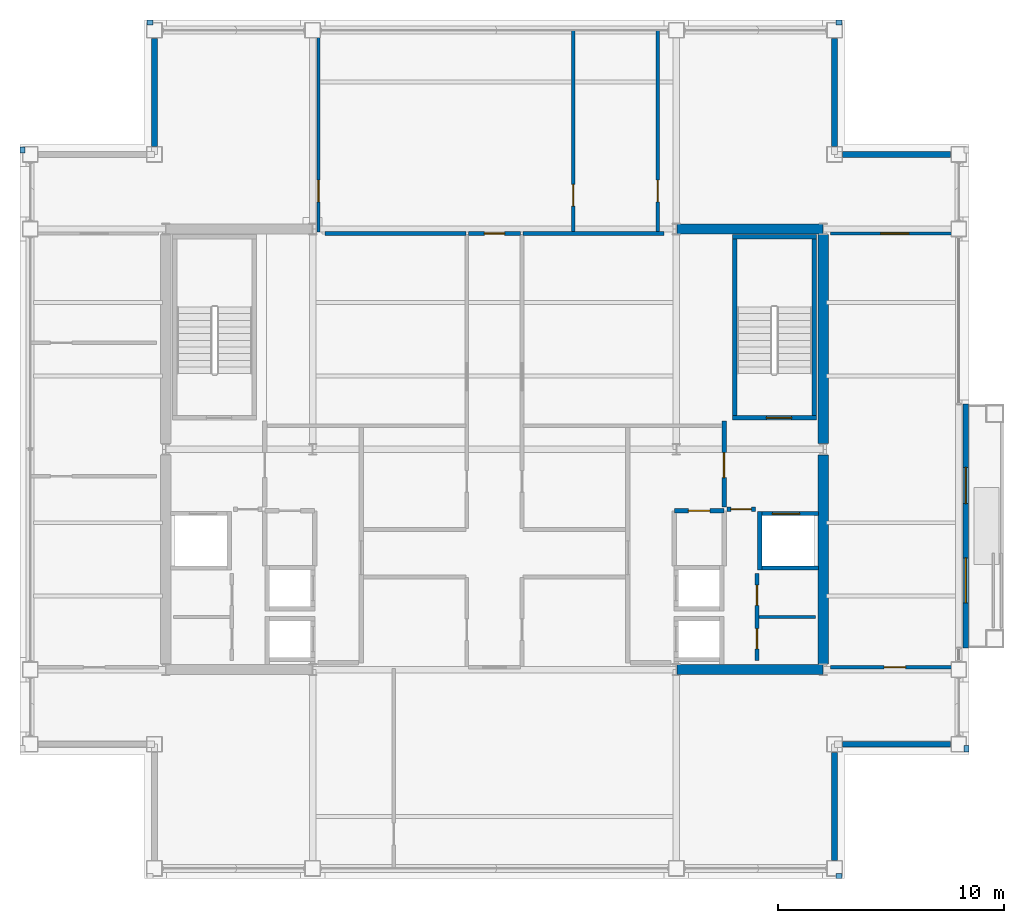
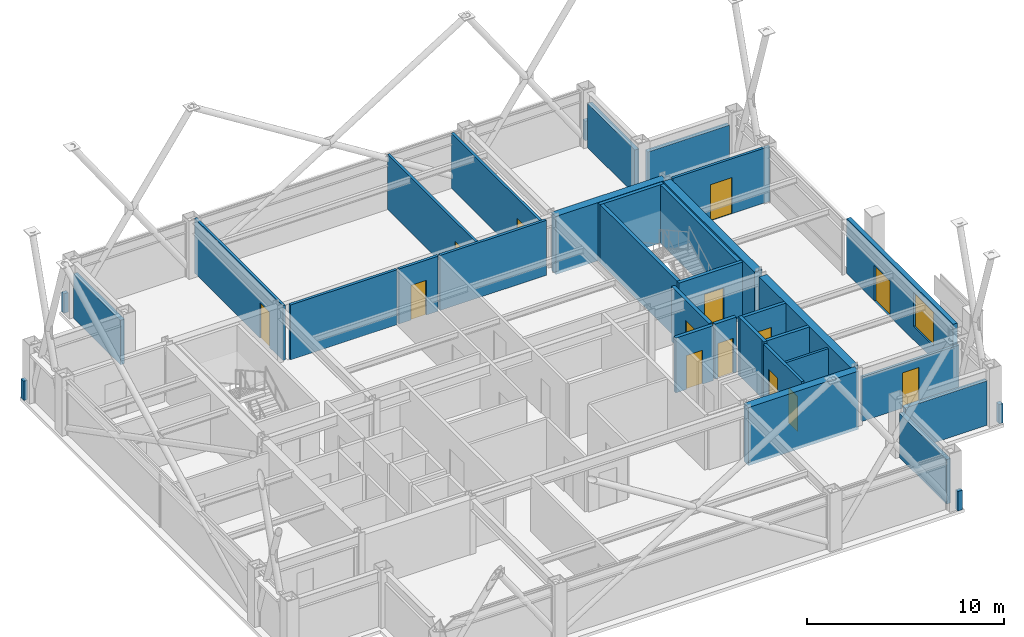
# One storey, part 30 of 33: 35 walls, 14 doors, 1 window, 15 openings.
"""IFC4 building model written with IfcOpenShell, lengths in metres."""

from ifc_helpers import new_model, si_unit, direction, frame, frame_2d, origin, place, context, subcontext, project, spatial, rectangle, extrude, material, layer, layer_set, type_object, element, fill, save


model = new_model("IFC4")

# Units and contexts
model_context = context("Model", 3, precision=1e-05, world=origin(), true_north=direction((0.0, 1.0)))
body_context = subcontext(model_context, "Body", "Model", "MODEL_VIEW")
ifc_project = project(units=[si_unit("LENGTHUNIT", "METRE"), si_unit("AREAUNIT", "SQUARE_METRE"), si_unit("VOLUMEUNIT", "CUBIC_METRE"), si_unit("PLANEANGLEUNIT", "RADIAN"), si_unit("MASSUNIT", "GRAM", prefix="KILO")], contexts=[model_context])

# Site, building, storey
site_placement = place(None, origin())
site = spatial("IfcSite", under=ifc_project, at=site_placement, CompositionType="ELEMENT")
building_placement = place(site_placement, origin())
building = spatial("IfcBuilding", under=site, at=building_placement, Name="Brelmoor Portico Tower", CompositionType="ELEMENT")
storey_placement = place(building_placement, frame((0.0, 0.0, 194.699951171875)))
storey = spatial("IfcBuildingStorey", under=building, at=storey_placement, Name="L51", CompositionType="ELEMENT", Elevation=194.699951171875)

# Walls
ifc_material_1 = material(Name="Concrete C50", Category="concrete")
ifc_layer_1 = layer(ifc_material_1, 0.449951171875)
ifc_layer_set_1 = layer_set([ifc_layer_1], Name="Concrete C50")
wall_type_1 = type_object("IfcWallType", Name="WL-CORE-450", PredefinedType="SHEAR", material=ifc_layer_set_1)
for number, where, z_axis, x_axis, name in (
    (1, (8.070068359375, -9.75, -0.199951171875), (0.0, 0.0, 1.0), (1.0, 0.0, 0.0), "L51 EC South Shear Wall"),
    (2, (8.070068359375, 9.75, -0.199951171875), (0.0, 0.0, 1.0), (1.0, 0.0, 0.0), "L51 EC North Shear Wall"),
):
    element("IfcWall", number, at=place(storey_placement, frame(where, z_axis=z_axis, x_axis=x_axis)), inside=storey, type_object=wall_type_1, Name=name, PredefinedType="SHEAR", context=body_context, shape_type="SweptSolid", body=[
        extrude(rectangle(XDim=6.4599609375, YDim=0.449951171875, at=frame_2d((3.22998046875, 0.0))), origin(), (0.0, 0.0, 1.0), 3.60009765625),
    ])
for number, where, z_axis, x_axis, name in (
    (3, (14.550048828125, -9.5, -0.199951171875), (0.0, 0.0, 1.0), (0.0, 1.0, 0.0), "L51 EC Outer South Shear Wall"),
    (4, (14.550048828125, 0.25, -0.199951171875), (0.0, 0.0, 1.0), (0.0, 1.0, 0.0), "L51 EC Outer North Shear Wall"),
):
    element("IfcWall", number, at=place(storey_placement, frame(where, z_axis=z_axis, x_axis=x_axis)), inside=storey, type_object=wall_type_1, Name=name, PredefinedType="SHEAR", context=body_context, shape_type="SweptSolid", body=[
        extrude(rectangle(XDim=9.25, YDim=0.449951171875, at=frame_2d((4.625, 0.0))), origin(), (0.0, 0.0, 1.0), 3.60009765625),
    ])

# Wall, openings, door, window
ifc_material_2 = material(Name="Precast Concrete C40 Insulated Facade Wall", Category="concrete")
ifc_layer_2 = layer(ifc_material_2, 0.25)
ifc_layer_set_2 = layer_set([ifc_layer_2], Name="Precast Concrete C40 Insulated Facade Wall")
wall_type_2 = type_object("IfcWallType", Name="WL-EXT-250", PredefinedType="STANDARD", material=ifc_layer_set_2)
wall_1_placement = place(storey_placement, frame((20.860107421875, -8.800048828125, 0.0), z_axis=(0.0, 0.0, 1.0), x_axis=(0.0, 1.0, 0.0)))
wall_1 = element("IfcWall", 5, at=wall_1_placement, inside=storey, type_object=wall_type_2, Name="L51 Loggia Threshold Wall E-1", PredefinedType="STANDARD", context=body_context, shape_type="SweptSolid", body=[
    extrude(rectangle(XDim=10.800048828125, YDim=0.25, at=frame_2d((5.39990234375, 0.0))), origin(), (0.0, 0.0, 1.0), 3.400146484375),
])
opening_1_placement = place(wall_1_placement, frame((6.39990234375, 0.0, 0.0)))
opening_1 = element("IfcOpeningElement", 6, at=opening_1_placement, cuts=wall_1, Name="Opening D-TB1", PredefinedType="OPENING", context=body_context, shape_type="SweptSolid", body=[
    extrude(rectangle(XDim=1.60009765625, YDim=2.199951171875, at=frame_2d((0.800048828125, 1.10009765625))), frame((0.0, 0.135009765625, 0.0), z_axis=(0.0, -1.0, 0.0), x_axis=(1.0, 0.0, 0.0)), (0.0, 0.0, 1.0), 0.27001953125),
])
opening_2_placement = place(wall_1_placement, frame((2.0, 0.0, 0.85009765625)))
opening_2 = element("IfcOpeningElement", 7, at=opening_2_placement, cuts=wall_1, Name="Opening W-03", PredefinedType="OPENING", context=body_context, shape_type="SweptSolid", body=[
    extrude(rectangle(XDim=2.0, YDim=2.10009765625, at=frame_2d((1.0, 1.050048828125))), frame((0.0, 0.135009765625, 0.0), z_axis=(0.0, -1.0, 0.0), x_axis=(1.0, 0.0, 0.0)), (0.0, 0.0, 1.0), 0.27001953125),
])
ifc_material_3 = material(Name="Double-Leaf Thermally Broken Terrace Door", Category="aluminium")
door_type_1 = type_object("IfcDoorType", Name="DR-BALCONY-1600", OperationType="NOTDEFINED", PredefinedType="DOOR", material=ifc_material_3)
door_1_placement = place(opening_1_placement, origin())
door_1 = element("IfcDoor", 8, at=door_1_placement, inside=storey, type_object=door_type_1, Name="D-2171 L51 Tree Balcony Double Door E", OperationType="DOUBLE_DOOR_SINGLE_SWING", OverallHeight=2.199951171875, OverallWidth=1.60009765625, PredefinedType="DOOR", context=body_context, shape_type="SweptSolid", body=[
    extrude(rectangle(XDim=1.60009765625, YDim=2.199951171875, at=frame_2d((0.800048828125, 1.10009765625))), frame((0.0, 0.02490234375, 0.0), z_axis=(0.0, -1.0, 0.0), x_axis=(1.0, 0.0, 0.0)), (0.0, 0.0, 1.0), 0.050048828125),
])
fill(opening_1, door_1)
ifc_material_4 = material(Name="Thermally Broken Aluminium Low-E Window", Category="aluminium")
window_type = type_object("IfcWindowType", Name="WN-LOGGIA-2000x2100", PartitioningType="SINGLE_PANEL", PredefinedType="WINDOW", material=ifc_material_4)
window_placement = place(opening_2_placement, origin())
window = element("IfcWindow", 9, at=window_placement, inside=storey, type_object=window_type, Name="L51 Loggia Window E", OverallHeight=2.10009765625, OverallWidth=2.0, PartitioningType="SINGLE_PANEL", PredefinedType="WINDOW", context=body_context, shape_type="SweptSolid", body=[
    extrude(rectangle(XDim=2.0, YDim=2.10009765625, at=frame_2d((1.0, 1.050048828125))), frame((0.0, 0.030029296875, 0.0), z_axis=(0.0, -1.0, 0.0), x_axis=(1.0, 0.0, 0.0)), (0.0, 0.0, 1.0), 0.06005859375),
])
fill(opening_2, window)

# Walls
for number, where, z_axis, x_axis, name in (
    (10, (15.409912109375, -13.050048828125, 0.0), (0.0, 0.0, 1.0), (1.0, 0.0, 0.0), "L51 Corner Notch Facade Wall NSEH1"),
    (11, (15.050048828125, -18.18994140625, 0.0), (0.0, 0.0, 1.0), (0.0, 1.0, 0.0), "L51 Corner Notch Facade Wall NSEV1"),
    (12, (-15.050048828125, 13.409912109375, 0.0), (0.0, 0.0, 1.0), (0.0, 1.0, 0.0), "L51 Corner Notch Facade Wall NNWV1"),
    (13, (15.409912109375, 13.050048828125, 0.0), (0.0, 0.0, 1.0), (1.0, 0.0, 0.0), "L51 Corner Notch Facade Wall NNEH1"),
    (14, (15.050048828125, 13.409912109375, 0.0), (0.0, 0.0, 1.0), (0.0, 1.0, 0.0), "L51 Corner Notch Facade Wall NNEV1"),
):
    element("IfcWall", number, at=place(storey_placement, frame(where, z_axis=z_axis, x_axis=x_axis)), inside=storey, type_object=wall_type_2, Name=name, PredefinedType="STANDARD", context=body_context, shape_type="SweptSolid", body=[
        extrude(rectangle(XDim=4.780029296875, YDim=0.25, at=frame_2d((2.39013671875, 0.0))), origin(), (0.0, 0.0, 1.0), 2.75),
    ])
ifc_material_5 = material(Name="Concrete C40 Parapet Upstand", Category="concrete")
ifc_layer_3 = layer(ifc_material_5, 0.219970703125)
ifc_layer_set_3 = layer_set([ifc_layer_3], Name="Concrete C40 Parapet Upstand")
wall_type_3 = type_object("IfcWallType", Name="WL-PARAPET-220", PredefinedType="PARAPET", material=ifc_layer_set_3)
for number, where, z_axis, x_axis, name in (
    (15, (15.1201171875, -18.889892578125, 0.0), (0.0, 0.0, 1.0), (1.0, 0.0, 0.0), "L51 Chamfer Vertex Parapet Pier SE1"),
    (16, (20.889892578125, -13.389892578125, 0.0), (0.0, 0.0, 1.0), (0.0, 1.0, 0.0), "L51 Chamfer Vertex Parapet Pier SE2"),
    (17, (-15.389892578125, 18.889892578125, 0.0), (0.0, 0.0, 1.0), (1.0, 0.0, 0.0), "L51 Chamfer Vertex Parapet Pier NW1"),
    (18, (-20.889892578125, 13.1201171875, 0.0), (0.0, 0.0, 1.0), (0.0, 1.0, 0.0), "L51 Chamfer Vertex Parapet Pier NW2"),
    (19, (15.1201171875, 18.889892578125, 0.0), (0.0, 0.0, 1.0), (1.0, 0.0, 0.0), "L51 Chamfer Vertex Parapet Pier NE1"),
):
    element("IfcWall", number, at=place(storey_placement, frame(where, z_axis=z_axis, x_axis=x_axis)), inside=storey, type_object=wall_type_3, Name=name, PredefinedType="PARAPET", context=body_context, shape_type="SweptSolid", body=[
        extrude(rectangle(XDim=0.269775390625, YDim=0.219970703125, at=frame_2d((0.134765625, 0.0))), origin(), (0.0, 0.0, 1.0), 1.199951171875),
    ])
ifc_material_6 = material(Name="Insulated Stud Suite Partition", Category="gypsum")
ifc_layer_4 = layer(ifc_material_6, 0.139892578125)
ifc_layer_set_4 = layer_set([ifc_layer_4], Name="Insulated Stud Suite Partition")
wall_type_4 = type_object("IfcWallType", Name="WL-PART-140", PredefinedType="PARTITIONING", material=ifc_layer_set_4)
wall_2_placement = place(storey_placement, frame((11.699951171875, -7.425048828125, 0.0), z_axis=(0.0, 0.0, 1.0), x_axis=(1.0, 0.0, 0.0)))
element("IfcWall", 20, at=wall_2_placement, inside=storey, type_object=wall_type_4, Name="L51 E Core WC Divider 1", PredefinedType="PARTITIONING", context=body_context, shape_type="SweptSolid", body=[
    extrude(rectangle(XDim=2.5, YDim=0.139892578125, at=frame_2d((1.25, 0.0))), origin(), (0.0, 0.0, 1.0), 3.400146484375),
])

# Wall, opening, door
ifc_material_7 = material(Name="Wet-Area Moisture-Resistant Partition", Category="gypsum")
ifc_layer_5 = layer(ifc_material_7, 0.14990234375)
ifc_layer_set_5 = layer_set([ifc_layer_5], Name="Wet-Area Moisture-Resistant Partition")
wall_type_5 = type_object("IfcWallType", Name="WL-PART-150", PredefinedType="PARTITIONING", material=ifc_layer_set_5)
wall_3_placement = place(storey_placement, frame((-7.78955078125, 9.610107421875, 0.0), z_axis=(0.0, 0.0, 1.0), x_axis=(0.0, 1.0, 0.0)))
wall_3 = element("IfcWall", 21, at=wall_3_placement, inside=storey, type_object=wall_type_5, Name="L51 North Suite Partition 1", PredefinedType="PARTITIONING", context=body_context, shape_type="SweptSolid", body=[
    extrude(rectangle(XDim=8.949951171875, YDim=0.14990234375, at=frame_2d((4.47509765625, 0.0))), origin(), (0.0, 0.0, 1.0), 3.400146484375),
])
opening_3_placement = place(wall_3_placement, frame((1.340087890625, 0.0, 0.0)))
opening_3 = element("IfcOpeningElement", 22, at=opening_3_placement, cuts=wall_3, Name="Opening D-IN2", PredefinedType="OPENING", context=body_context, shape_type="SweptSolid", body=[
    extrude(rectangle(XDim=0.9599609375, YDim=2.179931640625, at=frame_2d((0.47998046875, 1.08984375))), frame((0.0, 0.0849609375, 0.0), z_axis=(0.0, -1.0, 0.0), x_axis=(1.0, 0.0, 0.0)), (0.0, 0.0, 1.0), 0.169921875),
])
ifc_material_8 = material(Name="Lacquered Timber Suite Door", Category="wood")
door_type_2 = type_object("IfcDoorType", Name="DR-INT-950", OperationType="NOTDEFINED", PredefinedType="DOOR", material=ifc_material_8)
door_2_placement = place(opening_3_placement, origin())
door_2 = element("IfcDoor", 23, at=door_2_placement, inside=storey, type_object=door_type_2, Name="D-2160 L51 North Suite Connecting Door 1", OperationType="SINGLE_SWING_LEFT", OverallHeight=2.179931640625, OverallWidth=0.9599609375, PredefinedType="DOOR", context=body_context, shape_type="SweptSolid", body=[
    extrude(rectangle(XDim=0.9599609375, YDim=2.179931640625, at=frame_2d((0.47998046875, 1.08984375))), frame((0.0, 0.02490234375, 0.0), z_axis=(0.0, -1.0, 0.0), x_axis=(1.0, 0.0, 0.0)), (0.0, 0.0, 1.0), 0.050048828125),
])
fill(opening_3, door_2)

wall_4_placement = place(storey_placement, frame((3.490966796875, 9.610107421875, 0.0), z_axis=(0.0, 0.0, 1.0), x_axis=(0.0, 1.0, 0.0)))
wall_4 = element("IfcWall", 24, at=wall_4_placement, inside=storey, type_object=wall_type_5, Name="L51 North Suite Partition 2", PredefinedType="PARTITIONING", context=body_context, shape_type="SweptSolid", body=[
    extrude(rectangle(XDim=8.949951171875, YDim=0.14990234375, at=frame_2d((4.47509765625, 0.0))), origin(), (0.0, 0.0, 1.0), 3.400146484375),
])
opening_4_placement = place(wall_4_placement, frame((1.14990234375, 0.0, 0.0)))
opening_4 = element("IfcOpeningElement", 25, at=opening_4_placement, cuts=wall_4, Name="Opening D-IN2", PredefinedType="OPENING", context=body_context, shape_type="SweptSolid", body=[
    extrude(rectangle(XDim=0.9599609375, YDim=2.179931640625, at=frame_2d((0.47998046875, 1.08984375))), frame((0.0, 0.0849609375, 0.0), z_axis=(0.0, -1.0, 0.0), x_axis=(1.0, 0.0, 0.0)), (0.0, 0.0, 1.0), 0.169921875),
])
door_3_placement = place(opening_4_placement, origin())
door_3 = element("IfcDoor", 26, at=door_3_placement, inside=storey, type_object=door_type_2, Name="D-2161 L51 North Suite Connecting Door 2", OperationType="SINGLE_SWING_RIGHT", OverallHeight=2.179931640625, OverallWidth=0.9599609375, PredefinedType="DOOR", context=body_context, shape_type="SweptSolid", body=[
    extrude(rectangle(XDim=0.9599609375, YDim=2.179931640625, at=frame_2d((0.47998046875, 1.08984375))), frame((0.0, 0.02490234375, 0.0), z_axis=(0.0, -1.0, 0.0), x_axis=(1.0, 0.0, 0.0)), (0.0, 0.0, 1.0), 0.050048828125),
])
fill(opening_4, door_3)

wall_5_placement = place(storey_placement, frame((7.233154296875, 9.610107421875, 0.0), z_axis=(0.0, 0.0, 1.0), x_axis=(0.0, 1.0, 0.0)))
wall_5 = element("IfcWall", 27, at=wall_5_placement, inside=storey, type_object=wall_type_5, Name="L51 North Suite Partition 3", PredefinedType="PARTITIONING", context=body_context, shape_type="SweptSolid", body=[
    extrude(rectangle(XDim=8.949951171875, YDim=0.14990234375, at=frame_2d((4.47509765625, 0.0))), origin(), (0.0, 0.0, 1.0), 3.400146484375),
])
opening_5_placement = place(wall_5_placement, frame((1.340087890625, 0.0, 0.0)))
opening_5 = element("IfcOpeningElement", 28, at=opening_5_placement, cuts=wall_5, Name="Opening D-IN2", PredefinedType="OPENING", context=body_context, shape_type="SweptSolid", body=[
    extrude(rectangle(XDim=0.9599609375, YDim=2.179931640625, at=frame_2d((0.47998046875, 1.08984375))), frame((0.0, 0.0849609375, 0.0), z_axis=(0.0, -1.0, 0.0), x_axis=(1.0, 0.0, 0.0)), (0.0, 0.0, 1.0), 0.169921875),
])
door_4_placement = place(opening_5_placement, origin())
door_4 = element("IfcDoor", 29, at=door_4_placement, inside=storey, type_object=door_type_2, Name="D-2162 L51 North Suite Connecting Door 3", OperationType="SINGLE_SWING_LEFT", OverallHeight=2.179931640625, OverallWidth=0.9599609375, PredefinedType="DOOR", context=body_context, shape_type="SweptSolid", body=[
    extrude(rectangle(XDim=0.9599609375, YDim=2.179931640625, at=frame_2d((0.47998046875, 1.08984375))), frame((0.0, 0.02490234375, 0.0), z_axis=(0.0, -1.0, 0.0), x_axis=(1.0, 0.0, 0.0)), (0.0, 0.0, 1.0), 0.050048828125),
])
fill(opening_5, door_4)

wall_6_placement = place(storey_placement, frame((14.8798828125, 9.550048828125, 0.0), z_axis=(0.0, 0.0, 1.0), x_axis=(1.0, 0.0, 0.0)))
wall_6 = element("IfcWall", 30, at=wall_6_placement, inside=storey, type_object=wall_type_5, Name="L51 North Wing Suite Wall ER", PredefinedType="PARTITIONING", context=body_context, shape_type="SweptSolid", body=[
    extrude(rectangle(XDim=5.68017578125, YDim=0.14990234375, at=frame_2d((2.840087890625, 0.0))), origin(), (0.0, 0.0, 1.0), 3.400146484375),
])
opening_6_placement = place(wall_6_placement, frame((2.219970703125, 0.0, 0.0)))
opening_6 = element("IfcOpeningElement", 31, at=opening_6_placement, cuts=wall_6, Name="Opening D-SU1", PredefinedType="OPENING", context=body_context, shape_type="SweptSolid", body=[
    extrude(rectangle(XDim=1.239990234375, YDim=2.239990234375, at=frame_2d((0.6201171875, 1.1201171875))), frame((0.0, 0.0849609375, 0.0), z_axis=(0.0, -1.0, 0.0), x_axis=(1.0, 0.0, 0.0)), (0.0, 0.0, 1.0), 0.169921875),
])
ifc_material_9 = material(Name="Glazed Timber Executive Suite Door", Category="wood")
door_type_3 = type_object("IfcDoorType", Name="DR-SUITE-1200", OperationType="NOTDEFINED", PredefinedType="DOOR", material=ifc_material_9)
door_5_placement = place(opening_6_placement, origin())
door_5 = element("IfcDoor", 32, at=door_5_placement, inside=storey, type_object=door_type_3, Name="D-2163 L51 ER Wing Suite Connecting Door", OperationType="SINGLE_SWING_RIGHT", OverallHeight=2.239990234375, OverallWidth=1.239990234375, PredefinedType="DOOR", context=body_context, shape_type="SweptSolid", body=[
    extrude(rectangle(XDim=1.239990234375, YDim=2.239990234375, at=frame_2d((0.6201171875, 1.1201171875))), frame((0.0, 0.02490234375, 0.0), z_axis=(0.0, -1.0, 0.0), x_axis=(1.0, 0.0, 0.0)), (0.0, 0.0, 1.0), 0.050048828125),
])
fill(opening_6, door_5)

wall_7_placement = place(storey_placement, frame((14.8798828125, -9.64990234375, 0.0), z_axis=(0.0, 0.0, 1.0), x_axis=(1.0, 0.0, 0.0)))
wall_7 = element("IfcWall", 33, at=wall_7_placement, inside=storey, type_object=wall_type_5, Name="L51 South Wing Closure ER", PredefinedType="PARTITIONING", context=body_context, shape_type="SweptSolid", body=[
    extrude(rectangle(XDim=5.68017578125, YDim=0.14990234375, at=frame_2d((2.840087890625, 0.0))), origin(), (0.0, 0.0, 1.0), 2.75),
])
opening_7_placement = place(wall_7_placement, frame((2.360107421875, 0.0, 0.0)))
opening_7 = element("IfcOpeningElement", 34, at=opening_7_placement, cuts=wall_7, Name="Opening D-IN2", PredefinedType="OPENING", context=body_context, shape_type="SweptSolid", body=[
    extrude(rectangle(XDim=0.9599609375, YDim=2.179931640625, at=frame_2d((0.47998046875, 1.08984375))), frame((0.0, 0.0849609375, 0.0), z_axis=(0.0, -1.0, 0.0), x_axis=(1.0, 0.0, 0.0)), (0.0, 0.0, 1.0), 0.169921875),
])
door_6_placement = place(opening_7_placement, origin())
door_6 = element("IfcDoor", 35, at=door_6_placement, inside=storey, type_object=door_type_2, Name="D-2169 L51 ER Wing South Suite Door", OperationType="SINGLE_SWING_RIGHT", OverallHeight=2.179931640625, OverallWidth=0.9599609375, PredefinedType="DOOR", context=body_context, shape_type="SweptSolid", body=[
    extrude(rectangle(XDim=0.9599609375, YDim=2.179931640625, at=frame_2d((0.47998046875, 1.08984375))), frame((0.0, 0.02490234375, 0.0), z_axis=(0.0, -1.0, 0.0), x_axis=(1.0, 0.0, 0.0)), (0.0, 0.0, 1.0), 0.050048828125),
])
fill(opening_7, door_6)

# Wall, openings, doors
ifc_material_10 = material(Name="Twin-Frame Acoustic Partition", Category="gypsum")
ifc_layer_6 = layer(ifc_material_10, 0.159912109375)
ifc_layer_set_6 = layer_set([ifc_layer_6], Name="Twin-Frame Acoustic Partition")
wall_type_6 = type_object("IfcWallType", Name="WL-PART-160", PredefinedType="PARTITIONING", material=ifc_layer_set_6)
wall_8_placement = place(storey_placement, frame((11.6201171875, -9.35009765625, 0.0), z_axis=(0.0, 0.0, 1.0), x_axis=(0.0, 1.0, 0.0)))
wall_8 = element("IfcWall", 36, at=wall_8_placement, inside=storey, type_object=wall_type_6, Name="L51 E Core Service Front Wall", PredefinedType="PARTITIONING", context=body_context, shape_type="SweptSolid", body=[
    extrude(rectangle(XDim=3.85009765625, YDim=0.159912109375, at=frame_2d((1.925048828125, 0.0))), origin(), (0.0, 0.0, 1.0), 3.400146484375),
])
opening_8_placement = place(wall_8_placement, frame((0.512451171875, 0.0, 0.0)))
opening_8 = element("IfcOpeningElement", 37, at=opening_8_placement, cuts=wall_8, Name="Opening D-IN1", PredefinedType="OPENING", context=body_context, shape_type="SweptSolid", body=[
    extrude(rectangle(XDim=0.89990234375, YDim=2.14990234375, at=frame_2d((0.449951171875, 1.074951171875))), frame((0.0, 0.08984375, 0.0), z_axis=(0.0, -1.0, 0.0), x_axis=(1.0, 0.0, 0.0)), (0.0, 0.0, 1.0), 0.179931640625),
])
opening_9_placement = place(wall_8_placement, frame((2.4375, 0.0, 0.0)))
opening_9 = element("IfcOpeningElement", 38, at=opening_9_placement, cuts=wall_8, Name="Opening D-IN1", PredefinedType="OPENING", context=body_context, shape_type="SweptSolid", body=[
    extrude(rectangle(XDim=0.89990234375, YDim=2.14990234375, at=frame_2d((0.449951171875, 1.074951171875))), frame((0.0, 0.08984375, 0.0), z_axis=(0.0, -1.0, 0.0), x_axis=(1.0, 0.0, 0.0)), (0.0, 0.0, 1.0), 0.179931640625),
])
door_type_4 = type_object("IfcDoorType", Name="DR-INT-900", OperationType="NOTDEFINED", PredefinedType="DOOR", material=ifc_material_8)
door_7_placement = place(opening_8_placement, origin())
door_7 = element("IfcDoor", 39, at=door_7_placement, inside=storey, type_object=door_type_4, Name="D-2147 L51 E Male WC Door", OperationType="SINGLE_SWING_LEFT", OverallHeight=2.14990234375, OverallWidth=0.89990234375, PredefinedType="DOOR", context=body_context, shape_type="SweptSolid", body=[
    extrude(rectangle(XDim=0.89990234375, YDim=2.14990234375, at=frame_2d((0.449951171875, 1.074951171875))), frame((0.0, 0.02490234375, 0.0), z_axis=(0.0, -1.0, 0.0), x_axis=(1.0, 0.0, 0.0)), (0.0, 0.0, 1.0), 0.050048828125),
])
fill(opening_8, door_7)
door_8_placement = place(opening_9_placement, origin())
door_8 = element("IfcDoor", 40, at=door_8_placement, inside=storey, type_object=door_type_4, Name="D-2148 L51 E Female WC Door", OperationType="SINGLE_SWING_RIGHT", OverallHeight=2.14990234375, OverallWidth=0.89990234375, PredefinedType="DOOR", context=body_context, shape_type="SweptSolid", body=[
    extrude(rectangle(XDim=0.89990234375, YDim=2.14990234375, at=frame_2d((0.449951171875, 1.074951171875))), frame((0.0, 0.02490234375, 0.0), z_axis=(0.0, -1.0, 0.0), x_axis=(1.0, 0.0, 0.0)), (0.0, 0.0, 1.0), 0.050048828125),
])
fill(opening_9, door_8)

# Walls
for number, where, z_axis, x_axis, name in (
    (41, (-7.5, 9.550048828125, 0.0), (0.0, 0.0, 1.0), (1.0, 0.0, 0.0), "L51 West Reclaimed Suite North Wall"),
    (42, (1.260009765625, 9.550048828125, 0.0), (0.0, 0.0, 1.0), (1.0, 0.0, 0.0), "L51 East Suite North Wall"),
):
    element("IfcWall", number, at=place(storey_placement, frame(where, z_axis=z_axis, x_axis=x_axis)), inside=storey, type_object=wall_type_6, Name=name, PredefinedType="PARTITIONING", context=body_context, shape_type="SweptSolid", body=[
        extrude(rectangle(XDim=6.239990234375, YDim=0.159912109375, at=frame_2d((3.1201171875, 0.0))), origin(), (0.0, 0.0, 1.0), 3.400146484375),
    ])

# Wall, opening, door
wall_9_placement = place(storey_placement, frame((-1.14990234375, 9.550048828125, 0.0), z_axis=(0.0, 0.0, 1.0), x_axis=(1.0, 0.0, 0.0)))
wall_9 = element("IfcWall", 43, at=wall_9_placement, inside=storey, type_object=wall_type_6, Name="L51 North Corridor Partition", PredefinedType="PARTITIONING", context=body_context, shape_type="SweptSolid", body=[
    extrude(rectangle(XDim=2.2998046875, YDim=0.159912109375, at=frame_2d((1.14990234375, 0.0))), origin(), (0.0, 0.0, 1.0), 3.400146484375),
])
opening_10_placement = place(wall_9_placement, frame((0.699951171875, 0.0, 0.0)))
opening_10 = element("IfcOpeningElement", 44, at=opening_10_placement, cuts=wall_9, Name="Opening D-IN1", PredefinedType="OPENING", context=body_context, shape_type="SweptSolid", body=[
    extrude(rectangle(XDim=0.89990234375, YDim=2.14990234375, at=frame_2d((0.449951171875, 1.074951171875))), frame((0.0, 0.08984375, 0.0), z_axis=(0.0, -1.0, 0.0), x_axis=(1.0, 0.0, 0.0)), (0.0, 0.0, 1.0), 0.179931640625),
])
door_9_placement = place(opening_10_placement, origin())
door_9 = element("IfcDoor", 45, at=door_9_placement, inside=storey, type_object=door_type_4, Name="D-2159 L51 North Technical Archive Store 2 Door", OperationType="SINGLE_SWING_RIGHT", OverallHeight=2.14990234375, OverallWidth=0.89990234375, PredefinedType="DOOR", context=body_context, shape_type="SweptSolid", body=[
    extrude(rectangle(XDim=0.89990234375, YDim=2.14990234375, at=frame_2d((0.449951171875, 1.074951171875))), frame((0.0, 0.02490234375, 0.0), z_axis=(0.0, -1.0, 0.0), x_axis=(1.0, 0.0, 0.0)), (0.0, 0.0, 1.0), 0.050048828125),
])
fill(opening_10, door_9)

ifc_material_11 = material(Name="Double-Stud Gypsum Fire Partition", Category="gypsum")
ifc_layer_7 = layer(ifc_material_11, 0.199951171875)
ifc_layer_set_7 = layer_set([ifc_layer_7], Name="Double-Stud Gypsum Fire Partition")
wall_type_7 = type_object("IfcWallType", Name="WL-PART-200", PredefinedType="PARTITIONING", material=ifc_layer_set_7)
wall_10_placement = place(storey_placement, frame((10.159912109375, -2.550048828125, 0.0), z_axis=(0.0, 0.0, 1.0), x_axis=(0.0, 1.0, 0.0)))
wall_10 = element("IfcWall", 46, at=wall_10_placement, inside=storey, type_object=wall_type_7, Name="L51 E Firefighting Lobby Wall", PredefinedType="PARTITIONING", context=body_context, shape_type="SweptSolid", body=[
    extrude(rectangle(XDim=3.800048828125, YDim=0.199951171875, at=frame_2d((1.89990234375, 0.0))), origin(), (0.0, 0.0, 1.0), 3.400146484375),
])
opening_11_placement = place(wall_10_placement, frame((1.300048828125, 0.0, 0.0)))
opening_11 = element("IfcOpeningElement", 47, at=opening_11_placement, cuts=wall_10, Name="Opening D-FR1", PredefinedType="OPENING", context=body_context, shape_type="SweptSolid", body=[
    extrude(rectangle(XDim=1.10009765625, YDim=2.14990234375, at=frame_2d((0.550048828125, 1.074951171875))), frame((0.0, 0.10986328125, 0.0), z_axis=(0.0, -1.0, 0.0), x_axis=(1.0, 0.0, 0.0)), (0.0, 0.0, 1.0), 0.219970703125),
])
ifc_material_12 = material(Name="Painted Galvanised Steel Fire Door", Category="steel")
door_type_5 = type_object("IfcDoorType", Name="DR-FIRE-1100", OperationType="NOTDEFINED", PredefinedType="DOOR", material=ifc_material_12)
door_10_placement = place(opening_11_placement, origin())
door_10 = element("IfcDoor", 48, at=door_10_placement, inside=storey, type_object=door_type_5, Name="D-2155 L51 E Firefighting Lobby Door", OperationType="SINGLE_SWING_RIGHT", OverallHeight=2.14990234375, OverallWidth=1.10009765625, PredefinedType="DOOR", context=body_context, shape_type="SweptSolid", body=[
    extrude(rectangle(XDim=1.10009765625, YDim=2.14990234375, at=frame_2d((0.550048828125, 1.074951171875))), frame((0.0, 0.02490234375, 0.0), z_axis=(0.0, -1.0, 0.0), x_axis=(1.0, 0.0, 0.0)), (0.0, 0.0, 1.0), 0.050048828125),
])
fill(opening_11, door_10)

wall_11_placement = place(storey_placement, frame((10.280029296875, -2.64990234375, 0.0), z_axis=(0.0, 0.0, 1.0), x_axis=(1.0, 0.0, 0.0)))
wall_11 = element("IfcWall", 49, at=wall_11_placement, inside=storey, type_object=wall_type_7, Name="L51 E Firefighting Lobby South Wall", PredefinedType="PARTITIONING", context=body_context, shape_type="SweptSolid", body=[
    extrude(rectangle(XDim=1.27001953125, YDim=0.199951171875, at=frame_2d((0.635009765625, 0.0))), origin(), (0.0, 0.0, 1.0), 3.400146484375),
])
opening_12_placement = place(wall_11_placement, frame((0.18505859375, 0.0, 0.0)))
opening_12 = element("IfcOpeningElement", 50, at=opening_12_placement, cuts=wall_11, Name="Opening D-IN1", PredefinedType="OPENING", context=body_context, shape_type="SweptSolid", body=[
    extrude(rectangle(XDim=0.89990234375, YDim=2.14990234375, at=frame_2d((0.449951171875, 1.074951171875))), frame((0.0, 0.10986328125, 0.0), z_axis=(0.0, -1.0, 0.0), x_axis=(1.0, 0.0, 0.0)), (0.0, 0.0, 1.0), 0.219970703125),
])
door_11_placement = place(opening_12_placement, origin())
door_11 = element("IfcDoor", 51, at=door_11_placement, inside=storey, type_object=door_type_4, Name="D-2149 L51 E Core Service Vestibule Door", OperationType="SINGLE_SWING_LEFT", OverallHeight=2.14990234375, OverallWidth=0.89990234375, PredefinedType="DOOR", context=body_context, shape_type="SweptSolid", body=[
    extrude(rectangle(XDim=0.89990234375, YDim=2.14990234375, at=frame_2d((0.449951171875, 1.074951171875))), frame((0.0, 0.02490234375, 0.0), z_axis=(0.0, -1.0, 0.0), x_axis=(1.0, 0.0, 0.0)), (0.0, 0.0, 1.0), 0.050048828125),
])
fill(opening_12, door_11)

wall_12_placement = place(storey_placement, frame((7.9599609375, -2.719970703125, 0.0), z_axis=(0.0, 0.0, 1.0), x_axis=(1.0, 0.0, 0.0)))
wall_12 = element("IfcWall", 52, at=wall_12_placement, inside=storey, type_object=wall_type_7, Name="L51 E Electrical Switchgear Closet Wall", PredefinedType="PARTITIONING", context=body_context, shape_type="SweptSolid", body=[
    extrude(rectangle(XDim=2.199951171875, YDim=0.199951171875, at=frame_2d((1.10009765625, 0.0))), origin(), (0.0, 0.0, 1.0), 3.400146484375),
])
opening_13_placement = place(wall_12_placement, frame((0.6201171875, 0.0, 0.0)))
opening_13 = element("IfcOpeningElement", 53, at=opening_13_placement, cuts=wall_12, Name="Opening D-FR4", PredefinedType="OPENING", context=body_context, shape_type="SweptSolid", body=[
    extrude(rectangle(XDim=0.949951171875, YDim=2.10009765625, at=frame_2d((0.47509765625, 1.050048828125))), frame((0.0, 0.10986328125, 0.0), z_axis=(0.0, -1.0, 0.0), x_axis=(1.0, 0.0, 0.0)), (0.0, 0.0, 1.0), 0.219970703125),
])
ifc_material_13 = material(Name="Painted Galvanised Steel Riser Door", Category="steel")
door_type_6 = type_object("IfcDoorType", Name="DR-FIRE-950", OperationType="NOTDEFINED", PredefinedType="DOOR", material=ifc_material_13)
door_12_placement = place(opening_13_placement, origin())
door_12 = element("IfcDoor", 54, at=door_12_placement, inside=storey, type_object=door_type_6, Name="D-2153 L51 E Electrical Switchgear Closet Door", OperationType="SINGLE_SWING_RIGHT", OverallHeight=2.10009765625, OverallWidth=0.949951171875, PredefinedType="DOOR", context=body_context, shape_type="SweptSolid", body=[
    extrude(rectangle(XDim=0.949951171875, YDim=2.10009765625, at=frame_2d((0.47509765625, 1.050048828125))), frame((0.0, 0.02490234375, 0.0), z_axis=(0.0, -1.0, 0.0), x_axis=(1.0, 0.0, 0.0)), (0.0, 0.0, 1.0), 0.050048828125),
])
fill(opening_13, door_12)

ifc_material_14 = material(Name="Precast Concrete C40", Category="concrete")
ifc_layer_8 = layer(ifc_material_14, 0.18994140625)
ifc_layer_set_8 = layer_set([ifc_layer_8], Name="Precast Concrete C40")
wall_type_8 = type_object("IfcWallType", Name="WL-SHAFT-180", PredefinedType="SOLIDWALL", material=ifc_layer_set_8)
wall_13_placement = place(storey_placement, frame((11.64990234375, -2.844970703125, -0.199951171875), z_axis=(0.0, 0.0, 1.0), x_axis=(1.0, 0.0, 0.0)))
wall_13 = element("IfcWall", 55, at=wall_13_placement, inside=storey, type_object=wall_type_8, Name="L51 Lift FF2 Hoistway Front Wall", PredefinedType="SOLIDWALL", context=body_context, shape_type="SweptSolid", body=[
    extrude(rectangle(XDim=2.68017578125, YDim=0.18994140625, at=frame_2d((1.340087890625, 0.0))), origin(), (0.0, 0.0, 1.0), 3.60009765625),
])
opening_14_placement = place(wall_13_placement, frame((0.64990234375, 0.0, 0.199951171875)))
opening_14 = element("IfcOpeningElement", 56, at=opening_14_placement, cuts=wall_13, Name="Opening LD-02", PredefinedType="OPENING", context=body_context, shape_type="SweptSolid", body=[
    extrude(rectangle(XDim=1.199951171875, YDim=2.199951171875, at=frame_2d((0.60009765625, 1.10009765625))), frame((0.0, 0.10498046875, 0.0), z_axis=(0.0, -1.0, 0.0), x_axis=(1.0, 0.0, 0.0)), (0.0, 0.0, 1.0), 0.2099609375),
])
ifc_material_15 = material(Name="Brushed Stainless Steel Firefighting Lift Door", Category="steel")
door_type_7 = type_object("IfcDoorType", Name="DR-LIFT-1200", OperationType="NOTDEFINED", PredefinedType="DOOR", material=ifc_material_15)
door_13_placement = place(opening_14_placement, origin())
door_13 = element("IfcDoor", 57, at=door_13_placement, inside=storey, type_object=door_type_7, Name="D-2175 L51 Lift FF2 Sliding Landing Door", OperationType="SLIDING_TO_LEFT", OverallHeight=2.199951171875, OverallWidth=1.199951171875, PredefinedType="DOOR", context=body_context, shape_type="SweptSolid", body=[
    extrude(rectangle(XDim=1.199951171875, YDim=2.199951171875, at=frame_2d((0.60009765625, 1.10009765625))), frame((0.0, 0.02490234375, 0.0), z_axis=(0.0, -1.0, 0.0), x_axis=(1.0, 0.0, 0.0)), (0.0, 0.0, 1.0), 0.050048828125),
])
fill(opening_14, door_13)

# Walls
wall_14_placement = place(storey_placement, frame((11.64990234375, -5.2548828125, -0.199951171875), z_axis=(0.0, 0.0, 1.0), x_axis=(1.0, 0.0, 0.0)))
element("IfcWall", 58, at=wall_14_placement, inside=storey, type_object=wall_type_8, Name="L51 Firefighting Lift FF2 South Wall", PredefinedType="SOLIDWALL", context=body_context, shape_type="SweptSolid", body=[
    extrude(rectangle(XDim=2.68017578125, YDim=0.18994140625, at=frame_2d((1.340087890625, 0.0))), origin(), (0.0, 0.0, 1.0), 3.60009765625),
])
wall_15_placement = place(storey_placement, frame((11.7451171875, -5.35009765625, -0.199951171875), z_axis=(0.0, 0.0, 1.0), x_axis=(0.0, 1.0, 0.0)))
element("IfcWall", 59, at=wall_15_placement, inside=storey, type_object=wall_type_8, Name="L51 Firefighting Lift FF2 Inner Wall", PredefinedType="SOLIDWALL", context=body_context, shape_type="SweptSolid", body=[
    extrude(rectangle(XDim=2.60009765625, YDim=0.18994140625, at=frame_2d((1.300048828125, 0.0))), origin(), (0.0, 0.0, 1.0), 3.60009765625),
])
ifc_material_16 = material(Name="Concrete C40", Category="concrete")
ifc_layer_9 = layer(ifc_material_16, 0.199951171875)
ifc_layer_set_9 = layer_set([ifc_layer_9], Name="Concrete C40")
wall_type_9 = type_object("IfcWallType", Name="WL-SHAFT-RC200", PredefinedType="SOLIDWALL", material=ifc_layer_set_9)
wall_16_placement = place(storey_placement, frame((14.14990234375, 1.5, -0.199951171875), z_axis=(0.0, 0.0, 1.0), x_axis=(0.0, 1.0, 0.0)))
element("IfcWall", 60, at=wall_16_placement, inside=storey, type_object=wall_type_9, Name="L51 ST-E Structural Stair Wall Outer", PredefinedType="SOLIDWALL", context=body_context, shape_type="SweptSolid", body=[
    extrude(rectangle(XDim=7.800048828125, YDim=0.199951171875, at=frame_2d((3.89990234375, 0.0))), origin(), (0.0, 0.0, 1.0), 3.60009765625),
])

# Wall, opening, door
wall_17_placement = place(storey_placement, frame((10.530029296875, 1.39990234375, -0.199951171875), z_axis=(0.0, 0.0, 1.0), x_axis=(1.0, 0.0, 0.0)))
wall_17 = element("IfcWall", 61, at=wall_17_placement, inside=storey, type_object=wall_type_9, Name="L51 ST-E Structural Stair Wall S", PredefinedType="SOLIDWALL", context=body_context, shape_type="SweptSolid", body=[
    extrude(rectangle(XDim=3.719970703125, YDim=0.199951171875, at=frame_2d((1.85986328125, 0.0))), origin(), (0.0, 0.0, 1.0), 3.60009765625),
])
opening_15_placement = place(wall_17_placement, frame((1.5, 0.0, 0.199951171875)))
opening_15 = element("IfcOpeningElement", 62, at=opening_15_placement, cuts=wall_17, Name="Opening D-ST1", PredefinedType="OPENING", context=body_context, shape_type="SweptSolid", body=[
    extrude(rectangle(XDim=1.1201171875, YDim=2.179931640625, at=frame_2d((0.56005859375, 1.08984375))), frame((0.0, 0.10986328125, 0.0), z_axis=(0.0, -1.0, 0.0), x_axis=(1.0, 0.0, 0.0)), (0.0, 0.0, 1.0), 0.219970703125),
])
door_type_8 = type_object("IfcDoorType", Name="DR-STAIR-1100", OperationType="NOTDEFINED", PredefinedType="DOOR", material=ifc_material_12)
door_14_placement = place(opening_15_placement, origin())
door_14 = element("IfcDoor", 63, at=door_14_placement, inside=storey, type_object=door_type_8, Name="D-2167 L51 ST-E Protected Exit Stair Door", OperationType="SINGLE_SWING_RIGHT", OverallHeight=2.179931640625, OverallWidth=1.1201171875, PredefinedType="DOOR", context=body_context, shape_type="SweptSolid", body=[
    extrude(rectangle(XDim=1.1201171875, YDim=2.179931640625, at=frame_2d((0.56005859375, 1.08984375))), frame((0.0, 0.02490234375, 0.0), z_axis=(0.0, -1.0, 0.0), x_axis=(1.0, 0.0, 0.0)), (0.0, 0.0, 1.0), 0.050048828125),
])
fill(opening_15, door_14)

# Walls
wall_18_placement = place(storey_placement, frame((10.530029296875, 9.39990234375, -0.199951171875), z_axis=(0.0, 0.0, 1.0), x_axis=(1.0, 0.0, 0.0)))
element("IfcWall", 64, at=wall_18_placement, inside=storey, type_object=wall_type_9, Name="L51 ST-E Structural Stair Wall N", PredefinedType="SOLIDWALL", context=body_context, shape_type="SweptSolid", body=[
    extrude(rectangle(XDim=3.719970703125, YDim=0.199951171875, at=frame_2d((1.85986328125, 0.0))), origin(), (0.0, 0.0, 1.0), 3.60009765625),
])
wall_19_placement = place(storey_placement, frame((10.6298828125, 1.5, -0.199951171875), z_axis=(0.0, 0.0, 1.0), x_axis=(0.0, 1.0, 0.0)))
element("IfcWall", 65, at=wall_19_placement, inside=storey, type_object=wall_type_9, Name="L51 ST-E Structural Stair Wall Inner", PredefinedType="SOLIDWALL", context=body_context, shape_type="SweptSolid", body=[
    extrude(rectangle(XDim=7.800048828125, YDim=0.199951171875, at=frame_2d((3.89990234375, 0.0))), origin(), (0.0, 0.0, 1.0), 3.60009765625),
])

save(model, "model.ifc")
